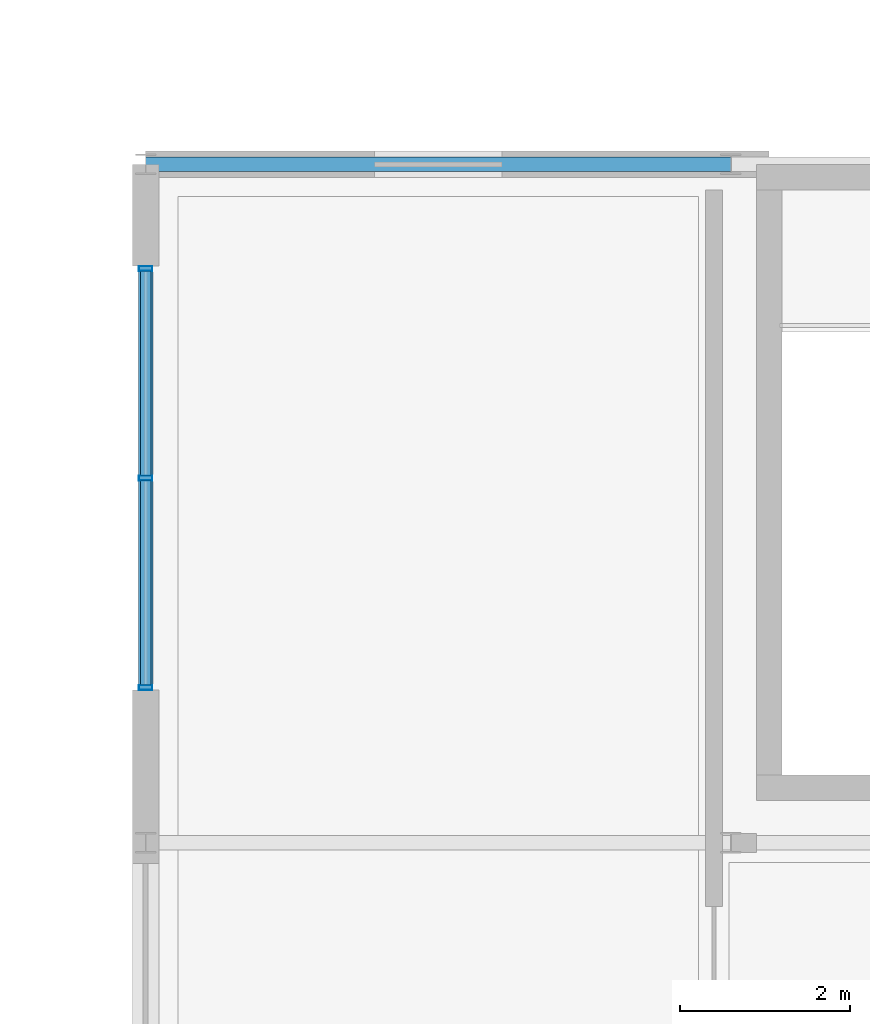
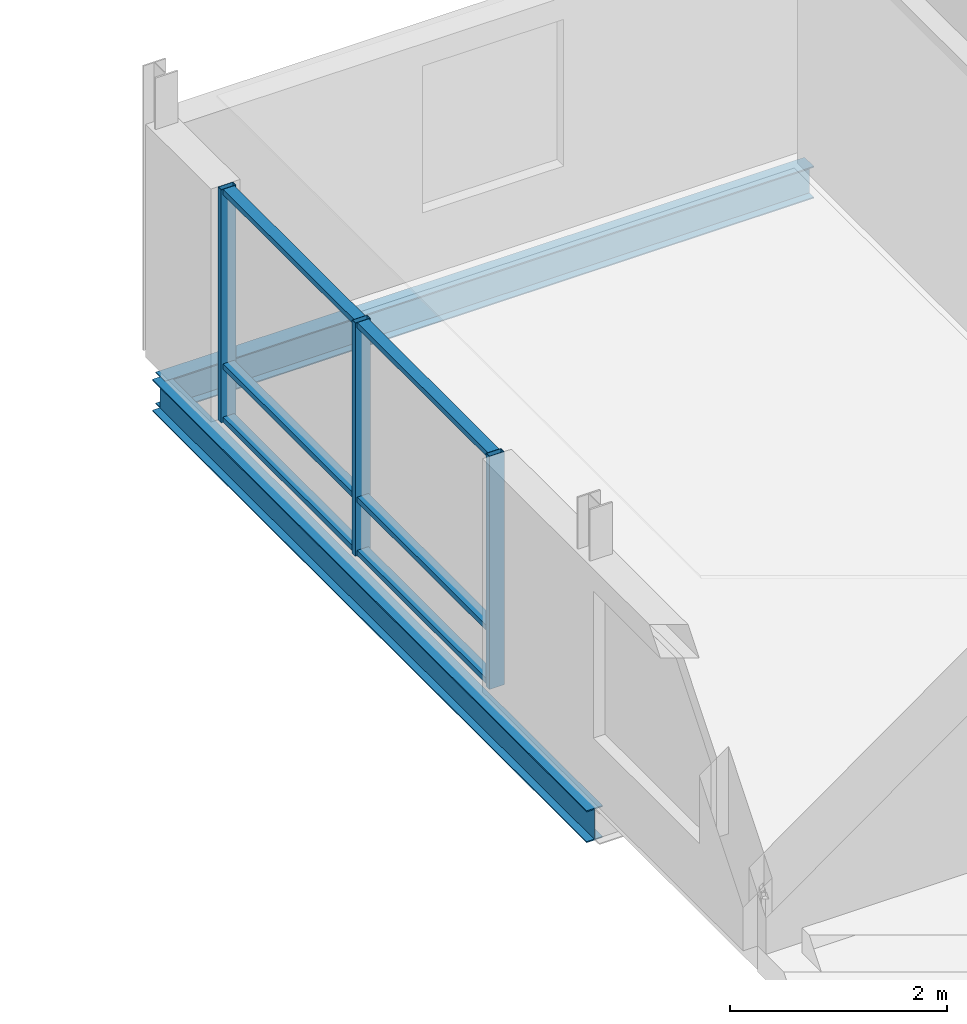
# One storey, part 30 of 109: 9 members, 2 beams, 1 element without a shape of its own.
"""IFC4 building model written with IfcOpenShell, lengths in metres."""

from ifc_helpers import new_model, si_unit, direction, frame, origin, origin_2d, place, context, subcontext, project, spatial, hollow_rectangle, i_section, extrude, material, material_profile, profile_set, type_object, element, aggregate, save


model = new_model("IFC4")

# Units and contexts
model_context = context("Model", 3, precision=1e-05, world=origin(), true_north=direction((0.0, 1.0)))
body_context = subcontext(model_context, "Body", "Model", "MODEL_VIEW")
ifc_project = project(units=[si_unit("LENGTHUNIT", "METRE"), si_unit("AREAUNIT", "SQUARE_METRE"), si_unit("VOLUMEUNIT", "CUBIC_METRE"), si_unit("PLANEANGLEUNIT", "RADIAN"), si_unit("MASSUNIT", "GRAM", prefix="KILO")], contexts=[model_context])

# Site, building, storey
site_placement = place(None, origin())
site = spatial("IfcSite", under=ifc_project, at=site_placement, CompositionType="ELEMENT")
building_placement = place(site_placement, origin())
building = spatial("IfcBuilding", under=site, at=building_placement, Name="Zavelmont Quarter", CompositionType="ELEMENT")
storey_placement = place(building_placement, frame((0.0, 0.0, 8.0)))
storey = spatial("IfcBuildingStorey", under=building, at=storey_placement, Name="L02", CompositionType="ELEMENT", Elevation=8.0)

# Beams
ifc_material_1 = material(Name="Steel S355", Category="steel")
ifc_material_profile_1 = material_profile(ifc_material_1, i_section(OverallWidth=0.169921875, OverallDepth=0.360107421875, WebThickness=0.008056640625, FlangeThickness=0.0126953125, at=origin_2d()), Name="IPE 360")
ifc_profile_set_1 = profile_set([ifc_material_profile_1], Name="Steel S355")
beam_type = type_object("IfcBeamType", Name="BM13", PredefinedType="BEAM", material=ifc_profile_set_1)
beam_1_placement = place(storey_placement, frame((0.0, 86.0, -0.449951171875), z_axis=(1.0, 0.0, 0.0), x_axis=(0.0, 1.0, 0.0)))
element("IfcBeam", 1, at=beam_1_placement, inside=storey, type_object=beam_type, Name="L02 beam BM13 1/N to 2/N", PredefinedType="BEAM", context=body_context, shape_type="SweptSolid", body=[
    extrude(i_section(OverallWidth=0.169921875, OverallDepth=0.360107421875, WebThickness=0.008056640625, FlangeThickness=0.0126953125, at=origin_2d()), origin(), (0.0, 0.0, 1.0), 6.89990234375),
])
beam_2_placement = place(storey_placement, frame((0.0, 78.0, -0.449951171875), z_axis=(0.0, 1.0, 0.0), x_axis=(-1.0, 0.0, 0.0)))
element("IfcBeam", 2, at=beam_2_placement, inside=storey, type_object=beam_type, Name="L02 beam BM13 1/M to 1/N", PredefinedType="BEAM", context=body_context, shape_type="SweptSolid", body=[
    extrude(i_section(OverallWidth=0.169921875, OverallDepth=0.360107421875, WebThickness=0.008056640625, FlangeThickness=0.0126953125, at=origin_2d()), origin(), (0.0, 0.0, 1.0), 8.0),
])

# Curtain wall, members
ifc_material_2 = material(Name="Thermally broken aluminium and double low-E safety glazing", Category="aluminium")
curtain_wall_type = type_object("IfcCurtainWallType", Name="CW-500X262", PredefinedType="NOTDEFINED", material=ifc_material_2)
curtain_wall_placement = place(storey_placement, origin())
curtain_wall = element("IfcCurtainWall", 3, at=curtain_wall_placement, inside=storey, type_object=curtain_wall_type, Name="L02 unitised curtain wall CW-500X262", PredefinedType="NOTDEFINED")
ifc_material_3 = material(Name="Powder-coated aluminium EN AW-6063-T6", Category="aluminium")
ifc_material_profile_2 = material_profile(ifc_material_3, hollow_rectangle(XDim=0.06005859375, YDim=0.159912109375, WallThickness=0.00390625, at=origin_2d()), Name="CWM60X160")
ifc_profile_set_2 = profile_set([ifc_material_profile_2], Name="Powder-coated aluminium EN AW-6063-T6")
member_type_1 = type_object("IfcMemberType", Name="CWM01", PredefinedType="MULLION", material=ifc_profile_set_2)
member_1_placement = place(storey_placement, frame((0.0, 79.830078125, 0.0), z_axis=(0.0, 0.0, 1.0), x_axis=(0.0, 1.0, 0.0)))
member_1 = element("IfcMember", 4, at=member_1_placement, type_object=member_type_1, Name="CW-500X262 mullion 1", PredefinedType="MULLION", context=body_context, shape_type="SweptSolid", body=[
    extrude(hollow_rectangle(XDim=0.06005859375, YDim=0.159912109375, WallThickness=0.00390625, at=origin_2d()), origin(), (0.0, 0.0, 1.0), 2.6201171875),
])
member_2_placement = place(storey_placement, frame((0.0, 82.300048828125, 0.0), z_axis=(0.0, 0.0, 1.0), x_axis=(0.0, 1.0, 0.0)))
member_2 = element("IfcMember", 5, at=member_2_placement, type_object=member_type_1, Name="CW-500X262 mullion 2", PredefinedType="MULLION", context=body_context, shape_type="SweptSolid", body=[
    extrude(hollow_rectangle(XDim=0.06005859375, YDim=0.159912109375, WallThickness=0.00390625, at=origin_2d()), origin(), (0.0, 0.0, 1.0), 2.6201171875),
])
member_3_placement = place(storey_placement, frame((0.0, 84.77001953125, 0.0), z_axis=(0.0, 0.0, 1.0), x_axis=(0.0, 1.0, 0.0)))
member_3 = element("IfcMember", 6, at=member_3_placement, type_object=member_type_1, Name="CW-500X262 mullion 3", PredefinedType="MULLION", context=body_context, shape_type="SweptSolid", body=[
    extrude(hollow_rectangle(XDim=0.06005859375, YDim=0.159912109375, WallThickness=0.00390625, at=origin_2d()), origin(), (0.0, 0.0, 1.0), 2.6201171875),
])
ifc_material_profile_3 = material_profile(ifc_material_3, hollow_rectangle(XDim=0.1201171875, YDim=0.06005859375, WallThickness=0.00390625, at=origin_2d()), Name="CWT60X120")
ifc_profile_set_3 = profile_set([ifc_material_profile_3], Name="Powder-coated aluminium EN AW-6063-T6")
member_type_2 = type_object("IfcMemberType", Name="CWT01", PredefinedType="NOTDEFINED", material=ifc_profile_set_3)
member_4_placement = place(storey_placement, frame((0.0, 79.860107421875, 0.030029296875), z_axis=(0.0, 1.0, 0.0), x_axis=(-1.0, 0.0, 0.0)))
member_4 = element("IfcMember", 7, at=member_4_placement, type_object=member_type_2, Name="CW-500X262 transom 1.1", ObjectType="TRANSOM", PredefinedType="USERDEFINED", context=body_context, shape_type="SweptSolid", body=[
    extrude(hollow_rectangle(XDim=0.1201171875, YDim=0.06005859375, WallThickness=0.00390625, at=origin_2d()), origin(), (0.0, 0.0, 1.0), 2.409912109375),
])
member_5_placement = place(storey_placement, frame((0.0, 79.860107421875, 0.62890625), z_axis=(0.0, 1.0, 0.0), x_axis=(-1.0, 0.0, 0.0)))
member_5 = element("IfcMember", 8, at=member_5_placement, type_object=member_type_2, Name="CW-500X262 transom 1.2", ObjectType="TRANSOM", PredefinedType="USERDEFINED", context=body_context, shape_type="SweptSolid", body=[
    extrude(hollow_rectangle(XDim=0.1201171875, YDim=0.06005859375, WallThickness=0.00390625, at=origin_2d()), origin(), (0.0, 0.0, 1.0), 2.409912109375),
])
member_6_placement = place(storey_placement, frame((0.0, 79.860107421875, 2.590087890625), z_axis=(0.0, 1.0, 0.0), x_axis=(-1.0, 0.0, 0.0)))
member_6 = element("IfcMember", 9, at=member_6_placement, type_object=member_type_2, Name="CW-500X262 transom 1.3", ObjectType="TRANSOM", PredefinedType="USERDEFINED", context=body_context, shape_type="SweptSolid", body=[
    extrude(hollow_rectangle(XDim=0.1201171875, YDim=0.06005859375, WallThickness=0.00390625, at=origin_2d()), origin(), (0.0, 0.0, 1.0), 2.409912109375),
])
member_7_placement = place(storey_placement, frame((0.0, 82.330078125, 0.030029296875), z_axis=(0.0, 1.0, 0.0), x_axis=(-1.0, 0.0, 0.0)))
member_7 = element("IfcMember", 10, at=member_7_placement, type_object=member_type_2, Name="CW-500X262 transom 2.1", ObjectType="TRANSOM", PredefinedType="USERDEFINED", context=body_context, shape_type="SweptSolid", body=[
    extrude(hollow_rectangle(XDim=0.1201171875, YDim=0.06005859375, WallThickness=0.00390625, at=origin_2d()), origin(), (0.0, 0.0, 1.0), 2.409912109375),
])
member_8_placement = place(storey_placement, frame((0.0, 82.330078125, 0.62890625), z_axis=(0.0, 1.0, 0.0), x_axis=(-1.0, 0.0, 0.0)))
member_8 = element("IfcMember", 11, at=member_8_placement, type_object=member_type_2, Name="CW-500X262 transom 2.2", ObjectType="TRANSOM", PredefinedType="USERDEFINED", context=body_context, shape_type="SweptSolid", body=[
    extrude(hollow_rectangle(XDim=0.1201171875, YDim=0.06005859375, WallThickness=0.00390625, at=origin_2d()), origin(), (0.0, 0.0, 1.0), 2.409912109375),
])
member_9_placement = place(storey_placement, frame((0.0, 82.330078125, 2.590087890625), z_axis=(0.0, 1.0, 0.0), x_axis=(-1.0, 0.0, 0.0)))
member_9 = element("IfcMember", 12, at=member_9_placement, type_object=member_type_2, Name="CW-500X262 transom 2.3", ObjectType="TRANSOM", PredefinedType="USERDEFINED", context=body_context, shape_type="SweptSolid", body=[
    extrude(hollow_rectangle(XDim=0.1201171875, YDim=0.06005859375, WallThickness=0.00390625, at=origin_2d()), origin(), (0.0, 0.0, 1.0), 2.409912109375),
])
aggregate(curtain_wall, [member_1, member_2, member_3, member_4, member_5, member_6, member_7, member_8, member_9])

save(model, "model.ifc")
